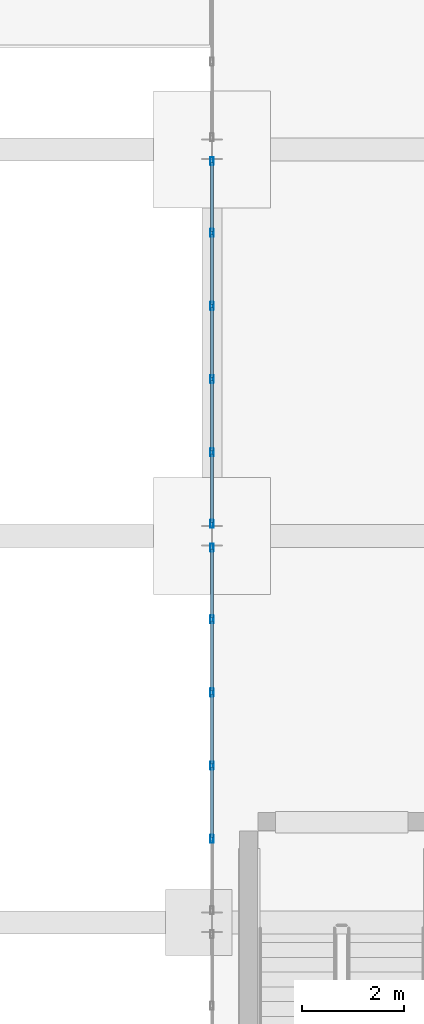
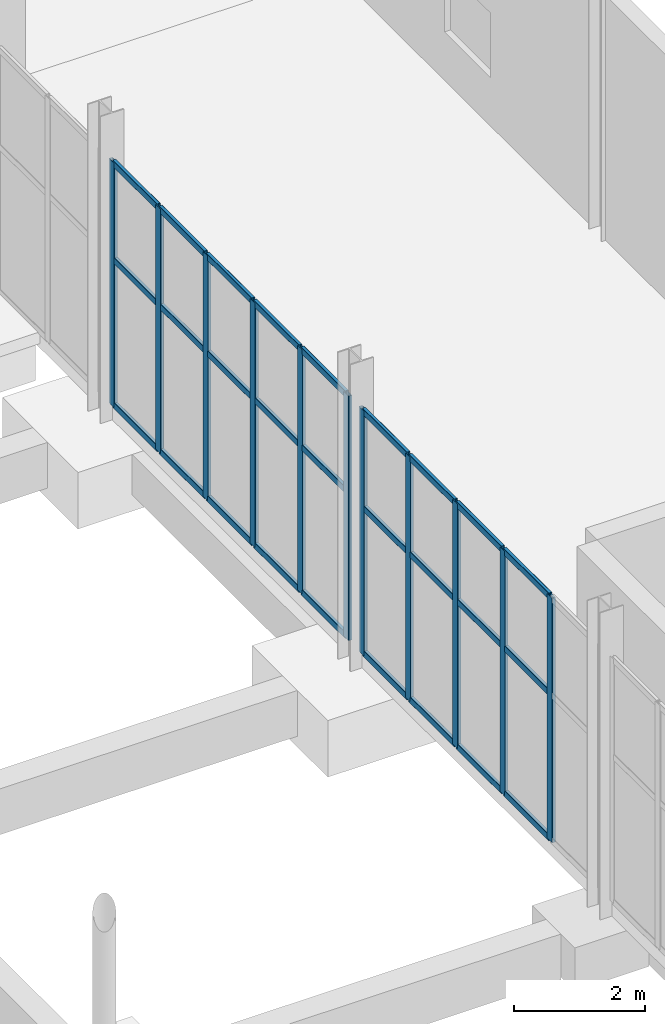
# One storey, part 52 of 95: 38 members, 2 elements without a shape of their own.
"""IFC4 building model written with IfcOpenShell, lengths in metres."""

import ifcopenshell
import ifcopenshell.guid

model = None  # the IFC model being written
_history = None  # IfcOwnerHistory: only IFC2X3 demands one
_inside = {}  # id of a spatial element -> (the spatial element, [elements in it])
_under = {}  # id of a project, library or spatial element -> (it, [spatial elements below it])
_declared = {}  # id of a project -> (the project, [libraries it declares])
_typed = {}  # id of a type object -> (the type object, [elements of that type])
_made_of = {}  # id of a material, layer set ... -> (it, [elements and type objects made of it])


def new_model(schema):
    """Start an empty IFC model of exactly this schema.

    Asked for "IFC4X3", IfcOpenShell would pick the latest addendum, in which some entities
    have other attributes; the version numbers below select the first issue.
    IFC2X3 requires an IfcOwnerHistory on every rooted entity: one is made here for all.
    """
    global model, _history
    if schema == "IFC4X3":
        model = ifcopenshell.file(schema_version=(4, 3, 0, 0))
    else:
        model = ifcopenshell.file(schema=schema)
    _inside.clear()
    _under.clear()
    _declared.clear()
    _typed.clear()
    _made_of.clear()
    _history = None
    if model.schema == "IFC2X3":
        org = make("IfcOrganization", Name="unknown")
        user = make(
            "IfcPersonAndOrganization",
            ThePerson=make("IfcPerson", FamilyName="unknown"),
            TheOrganization=org,
        )
        app = make(
            "IfcApplication",
            ApplicationDeveloper=org,
            Version="unknown",
            ApplicationFullName="unknown",
            ApplicationIdentifier="unknown",
        )
        _history = make(
            "IfcOwnerHistory",
            OwningUser=user,
            OwningApplication=app,
            ChangeAction="ADDED",
            CreationDate=0,
        )
    return model


def make(cls, **values):
    """One entity of the class cls with the attributes given. An attribute that is None is left unset."""
    return model.create_entity(
        cls, **{name: value for name, value in values.items() if value is not None}
    )


def rooted(cls, **values):
    """An entity with a GlobalId (a new one), such as an element, a storey or a relation."""
    return make(cls, GlobalId=ifcopenshell.guid.new(), OwnerHistory=_history, **values)


def si_unit(unit_type, name, prefix=None):
    """IfcSIUnit, for example si_unit("LENGTHUNIT", "METRE", prefix="MILLI")."""
    return make("IfcSIUnit", UnitType=unit_type, Prefix=prefix, Name=name)


def assignment(units):
    """IfcUnitAssignment: the units of a project."""
    return None if units is None else make("IfcUnitAssignment", Units=units)


def point(xyz):
    """IfcCartesianPoint."""
    return None if xyz is None else make("IfcCartesianPoint", Coordinates=xyz)


def direction(xyz):
    """IfcDirection."""
    return None if xyz is None else make("IfcDirection", DirectionRatios=xyz)


def frame(location, z_axis=None, x_axis=None):
    """IfcAxis2Placement3D, a coordinate frame: its origin and axes. An axis left out is left unset."""
    return make(
        "IfcAxis2Placement3D",
        Location=point(location),
        Axis=direction(z_axis),
        RefDirection=direction(x_axis),
    )


def frame_2d(location, x_axis=None):
    """IfcAxis2Placement2D, a coordinate frame in the plane: its origin and x axis."""
    return make(
        "IfcAxis2Placement2D", Location=point(location), RefDirection=direction(x_axis)
    )


def origin():
    """The frame at (0, 0, 0) with its axes left unset."""
    return frame((0.0, 0.0, 0.0))


def origin_2d():
    """The frame at (0, 0) in the plane with its x axis left unset."""
    return frame_2d((0.0, 0.0))


def place(relative_to, where):
    """IfcLocalPlacement: puts the frame where relative to a parent placement (None: the world)."""
    return make(
        "IfcLocalPlacement", PlacementRelTo=relative_to, RelativePlacement=where
    )


def context(
    kind, dimensions, precision=None, world=None, true_north=None, identifier=None
):
    """IfcGeometricRepresentationContext, for example the 3D "Model" context."""
    return make(
        "IfcGeometricRepresentationContext",
        ContextIdentifier=identifier,
        ContextType=kind,
        CoordinateSpaceDimension=dimensions,
        Precision=precision,
        WorldCoordinateSystem=world,
        TrueNorth=true_north,
    )


def subcontext(parent, identifier, kind, view, scale=None):
    """IfcGeometricRepresentationSubContext, for example "Body" below "Model"."""
    return make(
        "IfcGeometricRepresentationSubContext",
        ContextIdentifier=identifier,
        ContextType=kind,
        ParentContext=parent,
        TargetScale=scale,
        TargetView=view,
    )


def project(units=None, contexts=None):
    """IfcProject with its units and contexts."""
    return rooted(
        "IfcProject",
        Name="project",
        RepresentationContexts=contexts,
        UnitsInContext=assignment(units),
    )


def spatial(cls, under=None, at=None, **own):
    """A site, building, storey or space (cls), placed at a placement, below another one or the project."""
    s = rooted(cls, ObjectPlacement=at, **own)
    if under is not None:
        _under.setdefault(under.id(), (under, []))[1].append(s)
    return s


def profile(cls, at=None, kind="AREA", **sizes):
    """A parametric profile (cls). Its sizes go by their IFC names, for example OverallWidth=200.0."""
    return make(cls, ProfileType=kind, Position=at, **sizes)


def hollow_rectangle(**sizes):
    """IfcRectangleHollowProfileDef."""
    return profile("IfcRectangleHollowProfileDef", **sizes)


def extrude(swept, where, along, depth):
    """IfcExtrudedAreaSolid: the profile swept, set in the frame where, extruded along a direction by depth."""
    return make(
        "IfcExtrudedAreaSolid",
        SweptArea=swept,
        Position=where,
        ExtrudedDirection=direction(along),
        Depth=depth,
    )


def shape(context_of_items, identifier, shape_type, items):
    """IfcShapeRepresentation: the items that make up one representation, for example the "Body"."""
    return make(
        "IfcShapeRepresentation",
        ContextOfItems=context_of_items,
        RepresentationIdentifier=identifier,
        RepresentationType=shape_type,
        Items=items,
    )


def material(Name=None, Category=None):
    """IfcMaterial."""
    return make("IfcMaterial", Name=Name, Category=Category)


def material_profile(
    of_material, cross_section, Name=None, Category=None, Priority=None
):
    """IfcMaterialProfile: a cross section and its material."""
    return make(
        "IfcMaterialProfile",
        Name=Name,
        Material=of_material,
        Profile=cross_section,
        Priority=Priority,
        Category=Category,
    )


def profile_set(profiles, Name=None, composite=None):
    """IfcMaterialProfileSet."""
    return make(
        "IfcMaterialProfileSet",
        Name=Name,
        MaterialProfiles=profiles,
        CompositeProfile=composite,
    )


def made_of(thing, what):
    """Note that an element or type object is made of a material, layer set ...; save() writes the relation."""
    if what is not None:
        _made_of.setdefault(what.id(), (what, []))[1].append(thing)
    return thing


def type_object(cls, material=None, **own):
    """A type object (cls), such as IfcWallType, which elements share."""
    return made_of(rooted(cls, **own), material)


def element(
    cls,
    number,
    at=None,
    inside=None,
    cuts=None,
    type_object=None,
    material=None,
    context=None,
    identifier="Body",
    shape_type=None,
    held_by="IfcProductDefinitionShape",
    body=None,
    shapes=None,
    **own,
):
    """One element of the class cls, such as IfcWall. Its Tag is "e" and its number.

    at: its placement. inside: the storey or other place that contains it. cuts: it is an
    opening in that element (IfcRelVoidsElement). A single representation is given by context,
    identifier, shape_type and body (its items); several are given by shapes. held_by: the class
    of the entity that holds the representations. save() writes the other relations.
    """
    e = rooted(cls, Tag="e%d" % number, ObjectPlacement=at, **own)
    if body is not None:
        shapes = [shape(context, identifier, shape_type, body)]
    if shapes is not None:
        e.Representation = make(held_by, Representations=shapes)
    if inside is not None:
        _inside.setdefault(inside.id(), (inside, []))[1].append(e)
    if cuts is not None:
        rooted(
            "IfcRelVoidsElement", RelatingBuildingElement=cuts, RelatedOpeningElement=e
        )
    if type_object is not None:
        _typed.setdefault(type_object.id(), (type_object, []))[1].append(e)
    return made_of(e, material)


def aggregate(whole, parts):
    """IfcRelAggregates: a whole, such as a stair, and the parts it consists of."""
    return rooted("IfcRelAggregates", RelatingObject=whole, RelatedObjects=parts)


def save(model, path):
    """Write the relations noted so far, then the file.

    IfcRelAggregates (storeys below a building ...), IfcRelContainedInSpatialStructure (elements
    in a storey), IfcRelDefinesByType, IfcRelAssociatesMaterial and IfcRelDeclares: one each for
    every whole, place, type object, material and project.
    """
    for whole, parts in _under.values():
        aggregate(whole, parts)
    for where, things in _inside.values():
        rooted(
            "IfcRelContainedInSpatialStructure",
            RelatedElements=things,
            RelatingStructure=where,
        )
    for kind, things in _typed.values():
        rooted("IfcRelDefinesByType", RelatedObjects=things, RelatingType=kind)
    for what, things in _made_of.values():
        rooted("IfcRelAssociatesMaterial", RelatedObjects=things, RelatingMaterial=what)
    for by, libraries in _declared.values():
        rooted("IfcRelDeclares", RelatingContext=by, RelatedDefinitions=libraries)
    model.write(path)


model = new_model("IFC4")

# Units and contexts
model_context = context("Model", 3, precision=1e-05, world=origin(), true_north=direction((0.0, 1.0)))
body_context = subcontext(model_context, "Body", "Model", "MODEL_VIEW")
ifc_project = project(units=[si_unit("LENGTHUNIT", "METRE"), si_unit("AREAUNIT", "SQUARE_METRE"), si_unit("VOLUMEUNIT", "CUBIC_METRE"), si_unit("PLANEANGLEUNIT", "RADIAN"), si_unit("MASSUNIT", "GRAM", prefix="KILO")], contexts=[model_context])

# Site, building, storey
site_placement = place(None, origin())
site = spatial("IfcSite", under=ifc_project, at=site_placement, CompositionType="ELEMENT")
building_placement = place(site_placement, origin())
building = spatial("IfcBuilding", under=site, at=building_placement, Name="Shengluoqiao Park Theatre", CompositionType="ELEMENT")
storey_placement = place(building_placement, origin())
storey = spatial("IfcBuildingStorey", under=building, at=storey_placement, Name="L00", CompositionType="ELEMENT", Elevation=0.0)

# Curtain wall, members
ifc_material = material(Name="Aluminium 6063-T6", Category="aluminium")
curtain_wall_type = type_object("IfcCurtainWallType", Name="ENV-CW-COURT", PredefinedType="NOTDEFINED", material=ifc_material)
curtain_wall_1_placement = place(storey_placement, origin())
curtain_wall_1 = element("IfcCurtainWall", 1, at=curtain_wall_1_placement, inside=storey, type_object=curtain_wall_type, Name="L00 Curtain Wall CWX-L00-0175", PredefinedType="NOTDEFINED")
ifc_material_profile_1 = material_profile(ifc_material, hollow_rectangle(XDim=0.06005859375, YDim=0.159912109375, WallThickness=0.00390625, InnerFilletRadius=0.00390625, OuterFilletRadius=0.008056640625, at=origin_2d()), Name="ALU MULLION 160x60x4")
ifc_profile_set_1 = profile_set([ifc_material_profile_1], Name="Aluminium 6063-T6")
member_type_1 = type_object("IfcMemberType", Name="ENV-MUL-160", PredefinedType="MULLION", material=ifc_profile_set_1)
member_1_placement = place(storey_placement, frame((157.199951171875, 62.4423828125, 0.0), z_axis=(0.0, 0.0, 1.0), x_axis=(-1.0, 0.0, 0.0)))
member_1 = element("IfcMember", 2, at=member_1_placement, type_object=member_type_1, Name="CW-05 mullion 2", PredefinedType="MULLION", context=body_context, shape_type="SweptSolid", body=[
    extrude(hollow_rectangle(XDim=0.06005859375, YDim=0.159912109375, WallThickness=0.00390625, InnerFilletRadius=0.00390625, OuterFilletRadius=0.008056640625, at=origin_2d()), origin(), (0.0, 0.0, 1.0), 4.5419921875),
])
member_2_placement = place(storey_placement, frame((157.199951171875, 63.880859375, 0.0), z_axis=(0.0, 0.0, 1.0), x_axis=(-1.0, 0.0, 0.0)))
member_2 = element("IfcMember", 3, at=member_2_placement, type_object=member_type_1, Name="CW-05 mullion 3", PredefinedType="MULLION", context=body_context, shape_type="SweptSolid", body=[
    extrude(hollow_rectangle(XDim=0.06005859375, YDim=0.159912109375, WallThickness=0.00390625, InnerFilletRadius=0.00390625, OuterFilletRadius=0.008056640625, at=origin_2d()), origin(), (0.0, 0.0, 1.0), 4.5419921875),
])
member_3_placement = place(storey_placement, frame((157.199951171875, 65.319091796875, 0.0), z_axis=(0.0, 0.0, 1.0), x_axis=(-1.0, 0.0, 0.0)))
member_3 = element("IfcMember", 4, at=member_3_placement, type_object=member_type_1, Name="CW-05 mullion 4", PredefinedType="MULLION", context=body_context, shape_type="SweptSolid", body=[
    extrude(hollow_rectangle(XDim=0.06005859375, YDim=0.159912109375, WallThickness=0.00390625, InnerFilletRadius=0.00390625, OuterFilletRadius=0.008056640625, at=origin_2d()), origin(), (0.0, 0.0, 1.0), 4.5419921875),
])
member_4_placement = place(storey_placement, frame((157.199951171875, 66.757568359375, 0.0), z_axis=(0.0, 0.0, 1.0), x_axis=(-1.0, 0.0, 0.0)))
member_4 = element("IfcMember", 5, at=member_4_placement, type_object=member_type_1, Name="CW-05 mullion 5", PredefinedType="MULLION", context=body_context, shape_type="SweptSolid", body=[
    extrude(hollow_rectangle(XDim=0.06005859375, YDim=0.159912109375, WallThickness=0.00390625, InnerFilletRadius=0.00390625, OuterFilletRadius=0.008056640625, at=origin_2d()), origin(), (0.0, 0.0, 1.0), 4.5419921875),
])
member_5_placement = place(storey_placement, frame((157.199951171875, 68.166015625, 0.0), z_axis=(0.0, 0.0, 1.0), x_axis=(-1.0, 0.0, 0.0)))
member_5 = element("IfcMember", 6, at=member_5_placement, type_object=member_type_1, Name="CW-05 mullion 6", PredefinedType="MULLION", context=body_context, shape_type="SweptSolid", body=[
    extrude(hollow_rectangle(XDim=0.06005859375, YDim=0.159912109375, WallThickness=0.00390625, InnerFilletRadius=0.00390625, OuterFilletRadius=0.008056640625, at=origin_2d()), origin(), (0.0, 0.0, 1.0), 4.5419921875),
])

curtain_wall_2_placement = place(storey_placement, origin())
curtain_wall_2 = element("IfcCurtainWall", 7, at=curtain_wall_2_placement, inside=storey, type_object=curtain_wall_type, Name="L00 Curtain Wall CWX-L00-0176", PredefinedType="NOTDEFINED")
member_6_placement = place(storey_placement, frame((157.199951171875, 68.634033203125, 0.0), z_axis=(0.0, 0.0, 1.0), x_axis=(-1.0, 0.0, 0.0)))
member_6 = element("IfcMember", 8, at=member_6_placement, type_object=member_type_1, Name="CW-05 mullion 1", PredefinedType="MULLION", context=body_context, shape_type="SweptSolid", body=[
    extrude(hollow_rectangle(XDim=0.06005859375, YDim=0.159912109375, WallThickness=0.00390625, InnerFilletRadius=0.00390625, OuterFilletRadius=0.008056640625, at=origin_2d()), origin(), (0.0, 0.0, 1.0), 4.5419921875),
])
member_7_placement = place(storey_placement, frame((157.199951171875, 70.04248046875, 0.0), z_axis=(0.0, 0.0, 1.0), x_axis=(-1.0, 0.0, 0.0)))
member_7 = element("IfcMember", 9, at=member_7_placement, type_object=member_type_1, Name="CW-05 mullion 2", PredefinedType="MULLION", context=body_context, shape_type="SweptSolid", body=[
    extrude(hollow_rectangle(XDim=0.06005859375, YDim=0.159912109375, WallThickness=0.00390625, InnerFilletRadius=0.00390625, OuterFilletRadius=0.008056640625, at=origin_2d()), origin(), (0.0, 0.0, 1.0), 4.5419921875),
])
member_8_placement = place(storey_placement, frame((157.199951171875, 71.480712890625, 0.0), z_axis=(0.0, 0.0, 1.0), x_axis=(-1.0, 0.0, 0.0)))
member_8 = element("IfcMember", 10, at=member_8_placement, type_object=member_type_1, Name="CW-05 mullion 3", PredefinedType="MULLION", context=body_context, shape_type="SweptSolid", body=[
    extrude(hollow_rectangle(XDim=0.06005859375, YDim=0.159912109375, WallThickness=0.00390625, InnerFilletRadius=0.00390625, OuterFilletRadius=0.008056640625, at=origin_2d()), origin(), (0.0, 0.0, 1.0), 4.5419921875),
])
member_9_placement = place(storey_placement, frame((157.199951171875, 72.919189453125, 0.0), z_axis=(0.0, 0.0, 1.0), x_axis=(-1.0, 0.0, 0.0)))
member_9 = element("IfcMember", 11, at=member_9_placement, type_object=member_type_1, Name="CW-05 mullion 4", PredefinedType="MULLION", context=body_context, shape_type="SweptSolid", body=[
    extrude(hollow_rectangle(XDim=0.06005859375, YDim=0.159912109375, WallThickness=0.00390625, InnerFilletRadius=0.00390625, OuterFilletRadius=0.008056640625, at=origin_2d()), origin(), (0.0, 0.0, 1.0), 4.5419921875),
])
member_10_placement = place(storey_placement, frame((157.199951171875, 74.357666015625, 0.0), z_axis=(0.0, 0.0, 1.0), x_axis=(-1.0, 0.0, 0.0)))
member_10 = element("IfcMember", 12, at=member_10_placement, type_object=member_type_1, Name="CW-05 mullion 5", PredefinedType="MULLION", context=body_context, shape_type="SweptSolid", body=[
    extrude(hollow_rectangle(XDim=0.06005859375, YDim=0.159912109375, WallThickness=0.00390625, InnerFilletRadius=0.00390625, OuterFilletRadius=0.008056640625, at=origin_2d()), origin(), (0.0, 0.0, 1.0), 4.5419921875),
])
member_11_placement = place(storey_placement, frame((157.199951171875, 75.76611328125, 0.0), z_axis=(0.0, 0.0, 1.0), x_axis=(-1.0, 0.0, 0.0)))
member_11 = element("IfcMember", 13, at=member_11_placement, type_object=member_type_1, Name="CW-05 mullion 6", PredefinedType="MULLION", context=body_context, shape_type="SweptSolid", body=[
    extrude(hollow_rectangle(XDim=0.06005859375, YDim=0.159912109375, WallThickness=0.00390625, InnerFilletRadius=0.00390625, OuterFilletRadius=0.008056640625, at=origin_2d()), origin(), (0.0, 0.0, 1.0), 4.5419921875),
])

# Member
ifc_material_profile_2 = material_profile(ifc_material, hollow_rectangle(XDim=0.06005859375, YDim=0.1201171875, WallThickness=0.00390625, InnerFilletRadius=0.00390625, OuterFilletRadius=0.008056640625, at=origin_2d()), Name="ALU TRANSOM 120x60x4")
ifc_profile_set_2 = profile_set([ifc_material_profile_2], Name="Aluminium 6063-T6")
member_type_2 = type_object("IfcMemberType", Name="ENV-TRN-120", PredefinedType="USERDEFINED", material=ifc_profile_set_2)
member_12_placement = place(storey_placement, frame((157.199951171875, 62.472412109375, 0.030029296875), z_axis=(0.0, 1.0, 0.0), x_axis=(-1.0, 0.0, 0.0)))
member_12 = element("IfcMember", 14, at=member_12_placement, type_object=member_type_2, Name="CW-05 transom 2.1", ObjectType="TRANSOM", PredefinedType="USERDEFINED", context=body_context, shape_type="SweptSolid", body=[
    extrude(hollow_rectangle(XDim=0.06005859375, YDim=0.1201171875, WallThickness=0.00390625, InnerFilletRadius=0.00390625, OuterFilletRadius=0.008056640625, at=origin_2d()), origin(), (0.0, 0.0, 1.0), 1.37841796875),
])

member_13_placement = place(storey_placement, frame((157.199951171875, 62.472412109375, 2.72509765625), z_axis=(0.0, 1.0, 0.0), x_axis=(-1.0, 0.0, 0.0)))
member_13 = element("IfcMember", 15, at=member_13_placement, type_object=member_type_2, Name="CW-05 transom 2.2", ObjectType="TRANSOM", PredefinedType="USERDEFINED", context=body_context, shape_type="SweptSolid", body=[
    extrude(hollow_rectangle(XDim=0.06005859375, YDim=0.1201171875, WallThickness=0.00390625, InnerFilletRadius=0.00390625, OuterFilletRadius=0.008056640625, at=origin_2d()), origin(), (0.0, 0.0, 1.0), 1.37841796875),
])

member_14_placement = place(storey_placement, frame((157.199951171875, 62.472412109375, 4.511962890625), z_axis=(0.0, 1.0, 0.0), x_axis=(-1.0, 0.0, 0.0)))
member_14 = element("IfcMember", 16, at=member_14_placement, type_object=member_type_2, Name="CW-05 transom 2.3", ObjectType="TRANSOM", PredefinedType="USERDEFINED", context=body_context, shape_type="SweptSolid", body=[
    extrude(hollow_rectangle(XDim=0.06005859375, YDim=0.1201171875, WallThickness=0.00390625, InnerFilletRadius=0.00390625, OuterFilletRadius=0.008056640625, at=origin_2d()), origin(), (0.0, 0.0, 1.0), 1.37841796875),
])

member_15_placement = place(storey_placement, frame((157.199951171875, 63.910888671875, 0.030029296875), z_axis=(0.0, 1.0, 0.0), x_axis=(-1.0, 0.0, 0.0)))
member_15 = element("IfcMember", 17, at=member_15_placement, type_object=member_type_2, Name="CW-05 transom 3.1", ObjectType="TRANSOM", PredefinedType="USERDEFINED", context=body_context, shape_type="SweptSolid", body=[
    extrude(hollow_rectangle(XDim=0.06005859375, YDim=0.1201171875, WallThickness=0.00390625, InnerFilletRadius=0.00390625, OuterFilletRadius=0.008056640625, at=origin_2d()), origin(), (0.0, 0.0, 1.0), 1.37841796875),
])

member_16_placement = place(storey_placement, frame((157.199951171875, 63.910888671875, 2.72509765625), z_axis=(0.0, 1.0, 0.0), x_axis=(-1.0, 0.0, 0.0)))
member_16 = element("IfcMember", 18, at=member_16_placement, type_object=member_type_2, Name="CW-05 transom 3.2", ObjectType="TRANSOM", PredefinedType="USERDEFINED", context=body_context, shape_type="SweptSolid", body=[
    extrude(hollow_rectangle(XDim=0.06005859375, YDim=0.1201171875, WallThickness=0.00390625, InnerFilletRadius=0.00390625, OuterFilletRadius=0.008056640625, at=origin_2d()), origin(), (0.0, 0.0, 1.0), 1.37841796875),
])

member_17_placement = place(storey_placement, frame((157.199951171875, 63.910888671875, 4.511962890625), z_axis=(0.0, 1.0, 0.0), x_axis=(-1.0, 0.0, 0.0)))
member_17 = element("IfcMember", 19, at=member_17_placement, type_object=member_type_2, Name="CW-05 transom 3.3", ObjectType="TRANSOM", PredefinedType="USERDEFINED", context=body_context, shape_type="SweptSolid", body=[
    extrude(hollow_rectangle(XDim=0.06005859375, YDim=0.1201171875, WallThickness=0.00390625, InnerFilletRadius=0.00390625, OuterFilletRadius=0.008056640625, at=origin_2d()), origin(), (0.0, 0.0, 1.0), 1.37841796875),
])

member_18_placement = place(storey_placement, frame((157.199951171875, 65.34912109375, 0.030029296875), z_axis=(0.0, 1.0, 0.0), x_axis=(-1.0, 0.0, 0.0)))
member_18 = element("IfcMember", 20, at=member_18_placement, type_object=member_type_2, Name="CW-05 transom 4.1", ObjectType="TRANSOM", PredefinedType="USERDEFINED", context=body_context, shape_type="SweptSolid", body=[
    extrude(hollow_rectangle(XDim=0.06005859375, YDim=0.1201171875, WallThickness=0.00390625, InnerFilletRadius=0.00390625, OuterFilletRadius=0.008056640625, at=origin_2d()), origin(), (0.0, 0.0, 1.0), 1.37841796875),
])

member_19_placement = place(storey_placement, frame((157.199951171875, 65.34912109375, 2.72509765625), z_axis=(0.0, 1.0, 0.0), x_axis=(-1.0, 0.0, 0.0)))
member_19 = element("IfcMember", 21, at=member_19_placement, type_object=member_type_2, Name="CW-05 transom 4.2", ObjectType="TRANSOM", PredefinedType="USERDEFINED", context=body_context, shape_type="SweptSolid", body=[
    extrude(hollow_rectangle(XDim=0.06005859375, YDim=0.1201171875, WallThickness=0.00390625, InnerFilletRadius=0.00390625, OuterFilletRadius=0.008056640625, at=origin_2d()), origin(), (0.0, 0.0, 1.0), 1.37841796875),
])

member_20_placement = place(storey_placement, frame((157.199951171875, 65.34912109375, 4.511962890625), z_axis=(0.0, 1.0, 0.0), x_axis=(-1.0, 0.0, 0.0)))
member_20 = element("IfcMember", 22, at=member_20_placement, type_object=member_type_2, Name="CW-05 transom 4.3", ObjectType="TRANSOM", PredefinedType="USERDEFINED", context=body_context, shape_type="SweptSolid", body=[
    extrude(hollow_rectangle(XDim=0.06005859375, YDim=0.1201171875, WallThickness=0.00390625, InnerFilletRadius=0.00390625, OuterFilletRadius=0.008056640625, at=origin_2d()), origin(), (0.0, 0.0, 1.0), 1.37841796875),
])

member_21_placement = place(storey_placement, frame((157.199951171875, 66.78759765625, 0.030029296875), z_axis=(0.0, 1.0, 0.0), x_axis=(-1.0, 0.0, 0.0)))
member_21 = element("IfcMember", 23, at=member_21_placement, type_object=member_type_2, Name="CW-05 transom 5.1", ObjectType="TRANSOM", PredefinedType="USERDEFINED", context=body_context, shape_type="SweptSolid", body=[
    extrude(hollow_rectangle(XDim=0.06005859375, YDim=0.1201171875, WallThickness=0.00390625, InnerFilletRadius=0.00390625, OuterFilletRadius=0.008056640625, at=origin_2d()), origin(), (0.0, 0.0, 1.0), 1.348388671875),
])

member_22_placement = place(storey_placement, frame((157.199951171875, 66.78759765625, 2.72509765625), z_axis=(0.0, 1.0, 0.0), x_axis=(-1.0, 0.0, 0.0)))
member_22 = element("IfcMember", 24, at=member_22_placement, type_object=member_type_2, Name="CW-05 transom 5.2", ObjectType="TRANSOM", PredefinedType="USERDEFINED", context=body_context, shape_type="SweptSolid", body=[
    extrude(hollow_rectangle(XDim=0.06005859375, YDim=0.1201171875, WallThickness=0.00390625, InnerFilletRadius=0.00390625, OuterFilletRadius=0.008056640625, at=origin_2d()), origin(), (0.0, 0.0, 1.0), 1.348388671875),
])

member_23_placement = place(storey_placement, frame((157.199951171875, 66.78759765625, 4.511962890625), z_axis=(0.0, 1.0, 0.0), x_axis=(-1.0, 0.0, 0.0)))
member_23 = element("IfcMember", 25, at=member_23_placement, type_object=member_type_2, Name="CW-05 transom 5.3", ObjectType="TRANSOM", PredefinedType="USERDEFINED", context=body_context, shape_type="SweptSolid", body=[
    extrude(hollow_rectangle(XDim=0.06005859375, YDim=0.1201171875, WallThickness=0.00390625, InnerFilletRadius=0.00390625, OuterFilletRadius=0.008056640625, at=origin_2d()), origin(), (0.0, 0.0, 1.0), 1.348388671875),
])

aggregate(curtain_wall_1, [member_1, member_2, member_3, member_4, member_5, member_12, member_13, member_14, member_15, member_16, member_17, member_18, member_19, member_20, member_21, member_22, member_23])

member_24_placement = place(storey_placement, frame((157.199951171875, 68.6640625, 0.030029296875), z_axis=(0.0, 1.0, 0.0), x_axis=(-1.0, 0.0, 0.0)))
member_24 = element("IfcMember", 26, at=member_24_placement, type_object=member_type_2, Name="CW-05 transom 1.1", ObjectType="TRANSOM", PredefinedType="USERDEFINED", context=body_context, shape_type="SweptSolid", body=[
    extrude(hollow_rectangle(XDim=0.06005859375, YDim=0.1201171875, WallThickness=0.00390625, InnerFilletRadius=0.00390625, OuterFilletRadius=0.008056640625, at=origin_2d()), origin(), (0.0, 0.0, 1.0), 1.348388671875),
])

member_25_placement = place(storey_placement, frame((157.199951171875, 68.6640625, 2.72509765625), z_axis=(0.0, 1.0, 0.0), x_axis=(-1.0, 0.0, 0.0)))
member_25 = element("IfcMember", 27, at=member_25_placement, type_object=member_type_2, Name="CW-05 transom 1.2", ObjectType="TRANSOM", PredefinedType="USERDEFINED", context=body_context, shape_type="SweptSolid", body=[
    extrude(hollow_rectangle(XDim=0.06005859375, YDim=0.1201171875, WallThickness=0.00390625, InnerFilletRadius=0.00390625, OuterFilletRadius=0.008056640625, at=origin_2d()), origin(), (0.0, 0.0, 1.0), 1.348388671875),
])

member_26_placement = place(storey_placement, frame((157.199951171875, 68.6640625, 4.511962890625), z_axis=(0.0, 1.0, 0.0), x_axis=(-1.0, 0.0, 0.0)))
member_26 = element("IfcMember", 28, at=member_26_placement, type_object=member_type_2, Name="CW-05 transom 1.3", ObjectType="TRANSOM", PredefinedType="USERDEFINED", context=body_context, shape_type="SweptSolid", body=[
    extrude(hollow_rectangle(XDim=0.06005859375, YDim=0.1201171875, WallThickness=0.00390625, InnerFilletRadius=0.00390625, OuterFilletRadius=0.008056640625, at=origin_2d()), origin(), (0.0, 0.0, 1.0), 1.348388671875),
])

member_27_placement = place(storey_placement, frame((157.199951171875, 70.072509765625, 0.030029296875), z_axis=(0.0, 1.0, 0.0), x_axis=(-1.0, 0.0, 0.0)))
member_27 = element("IfcMember", 29, at=member_27_placement, type_object=member_type_2, Name="CW-05 transom 2.1", ObjectType="TRANSOM", PredefinedType="USERDEFINED", context=body_context, shape_type="SweptSolid", body=[
    extrude(hollow_rectangle(XDim=0.06005859375, YDim=0.1201171875, WallThickness=0.00390625, InnerFilletRadius=0.00390625, OuterFilletRadius=0.008056640625, at=origin_2d()), origin(), (0.0, 0.0, 1.0), 1.378173828125),
])

member_28_placement = place(storey_placement, frame((157.199951171875, 70.072509765625, 2.72509765625), z_axis=(0.0, 1.0, 0.0), x_axis=(-1.0, 0.0, 0.0)))
member_28 = element("IfcMember", 30, at=member_28_placement, type_object=member_type_2, Name="CW-05 transom 2.2", ObjectType="TRANSOM", PredefinedType="USERDEFINED", context=body_context, shape_type="SweptSolid", body=[
    extrude(hollow_rectangle(XDim=0.06005859375, YDim=0.1201171875, WallThickness=0.00390625, InnerFilletRadius=0.00390625, OuterFilletRadius=0.008056640625, at=origin_2d()), origin(), (0.0, 0.0, 1.0), 1.378173828125),
])

member_29_placement = place(storey_placement, frame((157.199951171875, 70.072509765625, 4.511962890625), z_axis=(0.0, 1.0, 0.0), x_axis=(-1.0, 0.0, 0.0)))
member_29 = element("IfcMember", 31, at=member_29_placement, type_object=member_type_2, Name="CW-05 transom 2.3", ObjectType="TRANSOM", PredefinedType="USERDEFINED", context=body_context, shape_type="SweptSolid", body=[
    extrude(hollow_rectangle(XDim=0.06005859375, YDim=0.1201171875, WallThickness=0.00390625, InnerFilletRadius=0.00390625, OuterFilletRadius=0.008056640625, at=origin_2d()), origin(), (0.0, 0.0, 1.0), 1.378173828125),
])

member_30_placement = place(storey_placement, frame((157.199951171875, 71.5107421875, 0.030029296875), z_axis=(0.0, 1.0, 0.0), x_axis=(-1.0, 0.0, 0.0)))
member_30 = element("IfcMember", 32, at=member_30_placement, type_object=member_type_2, Name="CW-05 transom 3.1", ObjectType="TRANSOM", PredefinedType="USERDEFINED", context=body_context, shape_type="SweptSolid", body=[
    extrude(hollow_rectangle(XDim=0.06005859375, YDim=0.1201171875, WallThickness=0.00390625, InnerFilletRadius=0.00390625, OuterFilletRadius=0.008056640625, at=origin_2d()), origin(), (0.0, 0.0, 1.0), 1.37841796875),
])

member_31_placement = place(storey_placement, frame((157.199951171875, 71.5107421875, 2.72509765625), z_axis=(0.0, 1.0, 0.0), x_axis=(-1.0, 0.0, 0.0)))
member_31 = element("IfcMember", 33, at=member_31_placement, type_object=member_type_2, Name="CW-05 transom 3.2", ObjectType="TRANSOM", PredefinedType="USERDEFINED", context=body_context, shape_type="SweptSolid", body=[
    extrude(hollow_rectangle(XDim=0.06005859375, YDim=0.1201171875, WallThickness=0.00390625, InnerFilletRadius=0.00390625, OuterFilletRadius=0.008056640625, at=origin_2d()), origin(), (0.0, 0.0, 1.0), 1.37841796875),
])

member_32_placement = place(storey_placement, frame((157.199951171875, 71.5107421875, 4.511962890625), z_axis=(0.0, 1.0, 0.0), x_axis=(-1.0, 0.0, 0.0)))
member_32 = element("IfcMember", 34, at=member_32_placement, type_object=member_type_2, Name="CW-05 transom 3.3", ObjectType="TRANSOM", PredefinedType="USERDEFINED", context=body_context, shape_type="SweptSolid", body=[
    extrude(hollow_rectangle(XDim=0.06005859375, YDim=0.1201171875, WallThickness=0.00390625, InnerFilletRadius=0.00390625, OuterFilletRadius=0.008056640625, at=origin_2d()), origin(), (0.0, 0.0, 1.0), 1.37841796875),
])

member_33_placement = place(storey_placement, frame((157.199951171875, 72.94921875, 0.030029296875), z_axis=(0.0, 1.0, 0.0), x_axis=(-1.0, 0.0, 0.0)))
member_33 = element("IfcMember", 35, at=member_33_placement, type_object=member_type_2, Name="CW-05 transom 4.1", ObjectType="TRANSOM", PredefinedType="USERDEFINED", context=body_context, shape_type="SweptSolid", body=[
    extrude(hollow_rectangle(XDim=0.06005859375, YDim=0.1201171875, WallThickness=0.00390625, InnerFilletRadius=0.00390625, OuterFilletRadius=0.008056640625, at=origin_2d()), origin(), (0.0, 0.0, 1.0), 1.37841796875),
])

member_34_placement = place(storey_placement, frame((157.199951171875, 72.94921875, 2.72509765625), z_axis=(0.0, 1.0, 0.0), x_axis=(-1.0, 0.0, 0.0)))
member_34 = element("IfcMember", 36, at=member_34_placement, type_object=member_type_2, Name="CW-05 transom 4.2", ObjectType="TRANSOM", PredefinedType="USERDEFINED", context=body_context, shape_type="SweptSolid", body=[
    extrude(hollow_rectangle(XDim=0.06005859375, YDim=0.1201171875, WallThickness=0.00390625, InnerFilletRadius=0.00390625, OuterFilletRadius=0.008056640625, at=origin_2d()), origin(), (0.0, 0.0, 1.0), 1.37841796875),
])

member_35_placement = place(storey_placement, frame((157.199951171875, 72.94921875, 4.511962890625), z_axis=(0.0, 1.0, 0.0), x_axis=(-1.0, 0.0, 0.0)))
member_35 = element("IfcMember", 37, at=member_35_placement, type_object=member_type_2, Name="CW-05 transom 4.3", ObjectType="TRANSOM", PredefinedType="USERDEFINED", context=body_context, shape_type="SweptSolid", body=[
    extrude(hollow_rectangle(XDim=0.06005859375, YDim=0.1201171875, WallThickness=0.00390625, InnerFilletRadius=0.00390625, OuterFilletRadius=0.008056640625, at=origin_2d()), origin(), (0.0, 0.0, 1.0), 1.37841796875),
])

member_36_placement = place(storey_placement, frame((157.199951171875, 74.3876953125, 0.030029296875), z_axis=(0.0, 1.0, 0.0), x_axis=(-1.0, 0.0, 0.0)))
member_36 = element("IfcMember", 38, at=member_36_placement, type_object=member_type_2, Name="CW-05 transom 5.1", ObjectType="TRANSOM", PredefinedType="USERDEFINED", context=body_context, shape_type="SweptSolid", body=[
    extrude(hollow_rectangle(XDim=0.06005859375, YDim=0.1201171875, WallThickness=0.00390625, InnerFilletRadius=0.00390625, OuterFilletRadius=0.008056640625, at=origin_2d()), origin(), (0.0, 0.0, 1.0), 1.348388671875),
])

member_37_placement = place(storey_placement, frame((157.199951171875, 74.3876953125, 2.72509765625), z_axis=(0.0, 1.0, 0.0), x_axis=(-1.0, 0.0, 0.0)))
member_37 = element("IfcMember", 39, at=member_37_placement, type_object=member_type_2, Name="CW-05 transom 5.2", ObjectType="TRANSOM", PredefinedType="USERDEFINED", context=body_context, shape_type="SweptSolid", body=[
    extrude(hollow_rectangle(XDim=0.06005859375, YDim=0.1201171875, WallThickness=0.00390625, InnerFilletRadius=0.00390625, OuterFilletRadius=0.008056640625, at=origin_2d()), origin(), (0.0, 0.0, 1.0), 1.348388671875),
])

member_38_placement = place(storey_placement, frame((157.199951171875, 74.3876953125, 4.511962890625), z_axis=(0.0, 1.0, 0.0), x_axis=(-1.0, 0.0, 0.0)))
member_38 = element("IfcMember", 40, at=member_38_placement, type_object=member_type_2, Name="CW-05 transom 5.3", ObjectType="TRANSOM", PredefinedType="USERDEFINED", context=body_context, shape_type="SweptSolid", body=[
    extrude(hollow_rectangle(XDim=0.06005859375, YDim=0.1201171875, WallThickness=0.00390625, InnerFilletRadius=0.00390625, OuterFilletRadius=0.008056640625, at=origin_2d()), origin(), (0.0, 0.0, 1.0), 1.348388671875),
])

aggregate(curtain_wall_2, [member_6, member_7, member_8, member_9, member_10, member_11, member_24, member_25, member_26, member_27, member_28, member_29, member_30, member_31, member_32, member_33, member_34, member_35, member_36, member_37, member_38])

save(model, "model.ifc")
